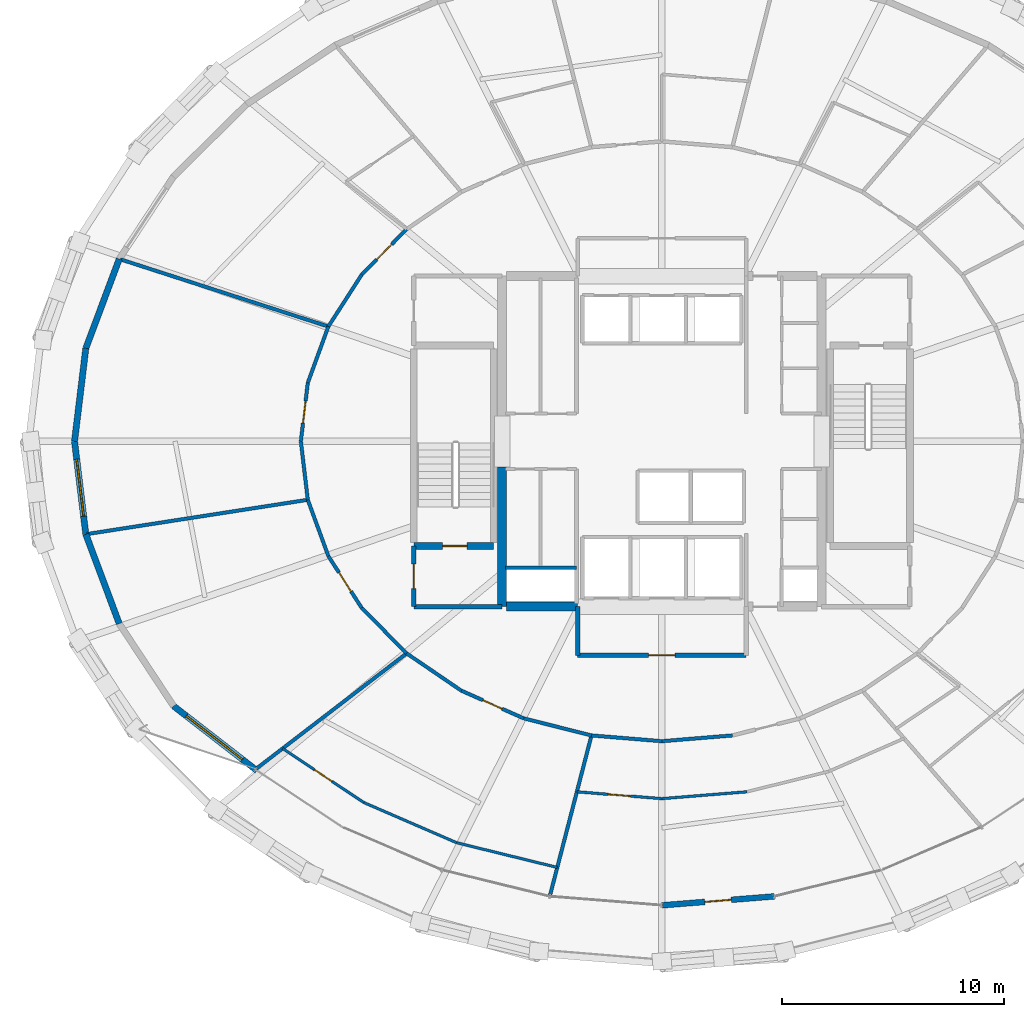
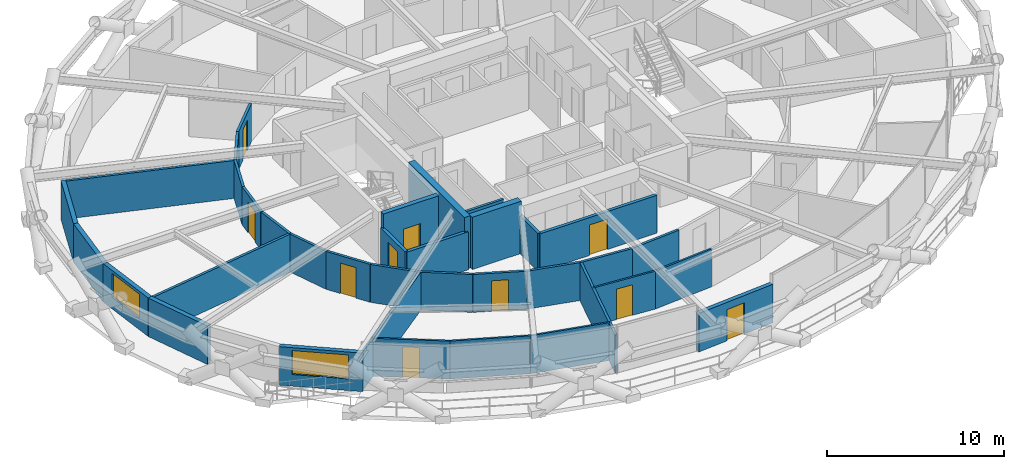
# One storey, part 13 of 19: 36 walls, 10 doors, 2 windows, 12 openings.
"""IFC4 building model written with IfcOpenShell, lengths in metres."""

from ifc_helpers import new_model, si_unit, direction, frame, frame_2d, origin, place, context, subcontext, project, spatial, rectangle, extrude, material, layer, layer_set, type_object, element, fill, save


model = new_model("IFC4")

# Units and contexts
model_context = context("Model", 3, precision=1e-05, world=origin(), true_north=direction((0.0, 1.0)))
body_context = subcontext(model_context, "Body", "Model", "MODEL_VIEW")
ifc_project = project(units=[si_unit("LENGTHUNIT", "METRE"), si_unit("AREAUNIT", "SQUARE_METRE"), si_unit("VOLUMEUNIT", "CUBIC_METRE"), si_unit("PLANEANGLEUNIT", "RADIAN"), si_unit("MASSUNIT", "GRAM", prefix="KILO")], contexts=[model_context])

# Site, building, storey
site_placement = place(None, origin())
site = spatial("IfcSite", under=ifc_project, at=site_placement, CompositionType="ELEMENT")
building_placement = place(site_placement, origin())
building = spatial("IfcBuilding", under=site, at=building_placement, Name="Veldorina Hangang Commons", CompositionType="ELEMENT")
storey_placement = place(building_placement, frame((0.0, 0.0, 52.0)))
storey = spatial("IfcBuildingStorey", under=building, at=storey_placement, Name="L12", CompositionType="ELEMENT", Elevation=52.0)

# Walls
ifc_material_1 = material(Name="Concrete C70/85", Category="concrete")
ifc_layer_1 = layer(ifc_material_1, 0.39990234375)
ifc_layer_set_1 = layer_set([ifc_layer_1], Name="Concrete C70/85")
wall_type_1 = type_object("IfcWallType", Name="CW-RC400-C70", PredefinedType="SHEAR", material=ifc_layer_set_1)
wall_1_placement = place(storey_placement, frame((24.800048828125, 16.550048828125, 0.0), z_axis=(0.0, 0.0, 1.0), x_axis=(0.0, 1.0, 0.0)))
element("IfcWall", 1, at=wall_1_placement, inside=storey, type_object=wall_type_1, Name="L12 W south core shear wall", PredefinedType="SHEAR", context=body_context, shape_type="SweptSolid", body=[
    extrude(rectangle(XDim=6.300048828125, YDim=0.39990234375, at=frame_2d((3.14990234375, 0.0))), origin(), (0.0, 0.0, 1.0), 3.60009765625),
])
wall_2_placement = place(storey_placement, frame((25.0, 16.550048828125, 0.0), z_axis=(0.0, 0.0, 1.0), x_axis=(1.0, 0.0, 0.0)))
element("IfcWall", 2, at=wall_2_placement, inside=storey, type_object=wall_type_1, Name="L12 south-west core shear wall", PredefinedType="SHEAR", context=body_context, shape_type="SweptSolid", body=[
    extrude(rectangle(XDim=3.199951171875, YDim=0.39990234375, at=frame_2d((1.60009765625, 0.0))), origin(), (0.0, 0.0, 1.0), 3.60009765625),
])

# Wall, opening, door
ifc_material_2 = material(Name="Stone Roman Travertine", Category="masonry")
ifc_layer_2 = layer(ifc_material_2, 0.260009765625)
ifc_layer_set_2 = layer_set([ifc_layer_2], Name="Stone Roman Travertine")
wall_type_2 = type_object("IfcWallType", Name="EW-LOGGIA-260", PredefinedType="STANDARD", material=ifc_layer_set_2)
wall_3_placement = place(storey_placement, frame((32.0, 3.084716796875, 0.0), z_axis=(0.0, 0.0, 1.0), x_axis=(0.996852362789, 0.079280305254, 0.0)))
wall_3 = element("IfcWall", 3, at=wall_3_placement, inside=storey, type_object=wall_type_2, Name="L12 sky-garden loggia portal wall 24", PredefinedType="STANDARD", context=body_context, shape_type="SweptSolid", body=[
    extrude(rectangle(XDim=5.07177734375, YDim=0.260009765625, at=frame_2d((2.535888671875, 0.0))), origin(), (0.0, 0.0, 1.0), 2.64990234375),
])
opening_1_placement = place(wall_3_placement, frame((1.935791015625, 0.0, 0.0)))
opening_1 = element("IfcOpeningElement", 4, at=opening_1_placement, cuts=wall_3, Name="Opening BD-1200", PredefinedType="OPENING", context=body_context, shape_type="SweptSolid", body=[
    extrude(rectangle(XDim=1.199951171875, YDim=2.14990234375, at=frame_2d((0.60009765625, 1.074951171875))), frame((0.0, 0.14013671875, 0.0), z_axis=(0.0, -1.0, 0.0), x_axis=(1.0, 0.0, 0.0)), (0.0, 0.0, 1.0), 0.280029296875),
])
ifc_material_3 = material(Name="Glass Thermal Aluminium Frame", Category="aluminium")
door_type_1 = type_object("IfcDoorType", Name="DR-EXT-LOG1200", OperationType="SINGLE_SWING_LEFT", PredefinedType="DOOR", material=ifc_material_3)
door_1_placement = place(opening_1_placement, origin())
door_1 = element("IfcDoor", 5, at=door_1_placement, inside=storey, type_object=door_type_1, Name="L12 loggia glazed exterior door 24", OperationType="SINGLE_SWING_LEFT", OverallHeight=2.14990234375, OverallWidth=1.199951171875, PredefinedType="DOOR", context=body_context, shape_type="SweptSolid", body=[
    extrude(rectangle(XDim=1.199951171875, YDim=2.14990234375, at=frame_2d((0.60009765625, 1.074951171875))), frame((0.0, 0.02490234375, 0.0), z_axis=(0.0, -1.0, 0.0), x_axis=(1.0, 0.0, 0.0)), (0.0, 0.0, 1.0), 0.050048828125),
])
fill(opening_1, door_1)

# Walls
ifc_layer_3 = layer(ifc_material_2, 0.280029296875)
ifc_layer_set_3 = layer_set([ifc_layer_3], Name="Stone Roman Travertine")
wall_type_3 = type_object("IfcWallType", Name="EW-TRAV-280", PredefinedType="STANDARD", material=ifc_layer_set_3)
wall_4_placement = place(storey_placement, frame((7.5400390625, 32.21826171875, 0.0), z_axis=(0.0, 0.0, 1.0), x_axis=(-0.350283521278, -0.936643718135, 0.0)))
element("IfcWall", 6, at=wall_4_placement, inside=storey, type_object=wall_type_3, Name="L12 travertine facade wall 14", PredefinedType="STANDARD", context=body_context, shape_type="SweptSolid", body=[
    extrude(rectangle(XDim=4.301025390625, YDim=0.280029296875, at=frame_2d((2.150390625, 0.0))), origin(), (0.0, 0.0, 1.0), 2.64990234375),
])
wall_5_placement = place(storey_placement, frame((6.033447265625, 28.189697265625, 0.0), z_axis=(0.0, 0.0, 1.0), x_axis=(-0.120495484084, -0.992713875352, 0.0)))
element("IfcWall", 7, at=wall_5_placement, inside=storey, type_object=wall_type_3, Name="L12 travertine facade wall 15", PredefinedType="STANDARD", context=body_context, shape_type="SweptSolid", body=[
    extrude(rectangle(XDim=4.220458984375, YDim=0.280029296875, at=frame_2d((2.1103515625, 0.0))), origin(), (0.0, 0.0, 1.0), 2.64990234375),
])

# Wall, opening, window
wall_6_placement = place(storey_placement, frame((5.52490234375, 24.0, 0.0), z_axis=(0.0, 0.0, 1.0), x_axis=(0.120495484084, -0.992713875352, 0.0)))
wall_6 = element("IfcWall", 8, at=wall_6_placement, inside=storey, type_object=wall_type_3, Name="L12 travertine facade wall 16", PredefinedType="STANDARD", context=body_context, shape_type="SweptSolid", body=[
    extrude(rectangle(XDim=4.220458984375, YDim=0.280029296875, at=frame_2d((2.1103515625, 0.0))), origin(), (0.0, 0.0, 1.0), 2.64990234375),
])
opening_2_placement = place(wall_6_placement, frame((0.810302734375, 0.0, 0.800048828125)))
opening_2 = element("IfcOpeningElement", 9, at=opening_2_placement, cuts=wall_6, Name="Opening W-02", PredefinedType="OPENING", context=body_context, shape_type="SweptSolid", body=[
    extrude(rectangle(XDim=2.60009765625, YDim=1.64990234375, at=frame_2d((1.300048828125, 0.824951171875))), frame((0.0, 0.14990234375, 0.0), z_axis=(0.0, -1.0, 0.0), x_axis=(1.0, 0.0, 0.0)), (0.0, 0.0, 1.0), 0.300048828125),
])
ifc_material_4 = material(Name="Glass Low-E Triple IGU", Category="glass")
window_type_1 = type_object("IfcWindowType", Name="WIN-TWR-2600", PartitioningType="SINGLE_PANEL", PredefinedType="WINDOW", material=ifc_material_4)
window_1_placement = place(opening_2_placement, origin())
window_1 = element("IfcWindow", 10, at=window_1_placement, inside=storey, type_object=window_type_1, Name="L12 facade window 16", OverallHeight=1.64990234375, OverallWidth=2.60009765625, PartitioningType="SINGLE_PANEL", PredefinedType="WINDOW", context=body_context, shape_type="SweptSolid", body=[
    extrude(rectangle(XDim=2.60009765625, YDim=1.64990234375, at=frame_2d((1.300048828125, 0.824951171875))), frame((0.0, 0.030029296875, 0.0), z_axis=(0.0, -1.0, 0.0), x_axis=(1.0, 0.0, 0.0)), (0.0, 0.0, 1.0), 0.06005859375),
])
fill(opening_2, window_1)

# Wall
wall_7_placement = place(storey_placement, frame((6.033447265625, 19.810302734375, 0.0), z_axis=(0.0, 0.0, 1.0), x_axis=(0.350283521278, -0.936643718135, 0.0)))
element("IfcWall", 11, at=wall_7_placement, inside=storey, type_object=wall_type_3, Name="L12 travertine facade wall 17", PredefinedType="STANDARD", context=body_context, shape_type="SweptSolid", body=[
    extrude(rectangle(XDim=4.301025390625, YDim=0.280029296875, at=frame_2d((2.150390625, 0.0))), origin(), (0.0, 0.0, 1.0), 2.64990234375),
])

# Wall, opening, window
wall_8_placement = place(storey_placement, frame((9.98681640625, 12.069091796875, 0.0), z_axis=(0.0, 0.0, 1.0), x_axis=(0.790411946791, -0.612575672362, 0.0)))
wall_8 = element("IfcWall", 12, at=wall_8_placement, inside=storey, type_object=wall_type_3, Name="L12 travertine facade wall 19", PredefinedType="STANDARD", context=body_context, shape_type="SweptSolid", body=[
    extrude(rectangle(XDim=4.75830078125, YDim=0.280029296875, at=frame_2d((2.379150390625, 0.0))), origin(), (0.0, 0.0, 1.0), 2.64990234375),
])
opening_3_placement = place(wall_8_placement, frame((0.733154296875, 0.0, 0.800048828125)))
opening_3 = element("IfcOpeningElement", 13, at=opening_3_placement, cuts=wall_8, Name="Opening W-01", PredefinedType="OPENING", context=body_context, shape_type="SweptSolid", body=[
    extrude(rectangle(XDim=3.199951171875, YDim=1.64990234375, at=frame_2d((1.60009765625, 0.824951171875))), frame((0.0, 0.14990234375, 0.0), z_axis=(0.0, -1.0, 0.0), x_axis=(1.0, 0.0, 0.0)), (0.0, 0.0, 1.0), 0.300048828125),
])
window_type_2 = type_object("IfcWindowType", Name="WIN-TWR-3200", PartitioningType="SINGLE_PANEL", PredefinedType="WINDOW", material=ifc_material_4)
window_2_placement = place(opening_3_placement, origin())
window_2 = element("IfcWindow", 14, at=window_2_placement, inside=storey, type_object=window_type_2, Name="L12 facade window 19", OverallHeight=1.64990234375, OverallWidth=3.199951171875, PartitioningType="SINGLE_PANEL", PredefinedType="WINDOW", context=body_context, shape_type="SweptSolid", body=[
    extrude(rectangle(XDim=3.199951171875, YDim=1.64990234375, at=frame_2d((1.60009765625, 0.824951171875))), frame((0.0, 0.030029296875, 0.0), z_axis=(0.0, -1.0, 0.0), x_axis=(1.0, 0.0, 0.0)), (0.0, 0.0, 1.0), 0.06005859375),
])
fill(opening_3, window_2)

# Wall, opening, door
ifc_material_5 = material(Name="Concrete C50/60", Category="concrete")
ifc_layer_4 = layer(ifc_material_5, 0.300048828125)
ifc_layer_set_4 = layer_set([ifc_layer_4], Name="Concrete C50/60")
wall_type_4 = type_object("IfcWallType", Name="SW-STAIR-300", PredefinedType="SHEAR", material=ifc_layer_set_4)
wall_9_placement = place(storey_placement, frame((20.820068359375, 19.280029296875, 0.0), z_axis=(0.0, 0.0, 1.0), x_axis=(1.0, 0.0, 0.0)))
wall_9 = element("IfcWall", 15, at=wall_9_placement, inside=storey, type_object=wall_type_4, Name="L12 ST1 south stair shear wall", PredefinedType="SHEAR", context=body_context, shape_type="SweptSolid", body=[
    extrude(rectangle(XDim=3.599853515625, YDim=0.300048828125, at=frame_2d((1.7998046875, 0.0))), origin(), (0.0, 0.0, 1.0), 3.60009765625),
])
opening_4_placement = place(wall_9_placement, frame((1.300048828125, 0.0, 0.0)))
opening_4 = element("IfcOpeningElement", 16, at=opening_4_placement, cuts=wall_9, Name="Opening D-08", PredefinedType="OPENING", context=body_context, shape_type="SweptSolid", body=[
    extrude(rectangle(XDim=1.10009765625, YDim=2.10009765625, at=frame_2d((0.550048828125, 1.050048828125))), frame((0.0, 0.16015625, 0.0), z_axis=(0.0, -1.0, 0.0), x_axis=(1.0, 0.0, 0.0)), (0.0, 0.0, 1.0), 0.320068359375),
])
ifc_material_6 = material(Name="Steel Fire-Rated Smoke Seal", Category="steel")
door_type_2 = type_object("IfcDoorType", Name="DR-FIRE-1100", OperationType="SINGLE_SWING_RIGHT", PredefinedType="DOOR", material=ifc_material_6)
door_2_placement = place(opening_4_placement, origin())
door_2 = element("IfcDoor", 17, at=door_2_placement, inside=storey, type_object=door_type_2, Name="L12 Special Escape Stair ST-1 door", OperationType="SINGLE_SWING_LEFT", OverallHeight=2.10009765625, OverallWidth=1.10009765625, PredefinedType="DOOR", context=body_context, shape_type="SweptSolid", body=[
    extrude(rectangle(XDim=1.10009765625, YDim=2.10009765625, at=frame_2d((0.550048828125, 1.050048828125))), frame((0.0, 0.02490234375, 0.0), z_axis=(0.0, -1.0, 0.0), x_axis=(1.0, 0.0, 0.0)), (0.0, 0.0, 1.0), 0.050048828125),
])
fill(opening_4, door_2)

# Wall
ifc_material_7 = material(Name="Gypsum Fire-Rated Twin Stud Wall", Category="gypsum")
ifc_layer_5 = layer(ifc_material_7, 0.159912109375)
ifc_layer_set_5 = layer_set([ifc_layer_5], Name="Gypsum Fire-Rated Twin Stud Wall")
wall_type_5 = type_object("IfcWallType", Name="WL-FIRE-160", PredefinedType="SOLIDWALL", material=ifc_layer_set_5)
wall_10_placement = place(storey_placement, frame((24.949951171875, 18.300048828125, 0.0), z_axis=(0.0, 0.0, 1.0), x_axis=(1.0, 0.0, 0.0)))
element("IfcWall", 18, at=wall_10_placement, inside=storey, type_object=wall_type_5, Name="L12 Electrical riser wall 035", PredefinedType="SOLIDWALL", context=body_context, shape_type="SweptSolid", body=[
    extrude(rectangle(XDim=3.199951171875, YDim=0.159912109375, at=frame_2d((1.60009765625, 0.0))), origin(), (0.0, 0.0, 1.0), 2.610107421875),
])

# Wall, opening, door
wall_11_placement = place(storey_placement, frame((20.492431640625, 33.55859375, 0.0), z_axis=(0.0, 0.0, 1.0), x_axis=(-0.702811997, -0.711375636969, 0.0)))
wall_11 = element("IfcWall", 19, at=wall_11_placement, inside=storey, type_object=wall_type_5, Name="L12 Corridor outer wall 12 062", PredefinedType="SOLIDWALL", context=body_context, shape_type="SweptSolid", body=[
    extrude(rectangle(XDim=2.87939453125, YDim=0.159912109375, at=frame_2d((1.439697265625, 0.0))), origin(), (0.0, 0.0, 1.0), 2.610107421875),
])
opening_5_placement = place(wall_11_placement, frame((0.96484375, 0.0, 0.0)))
opening_5 = element("IfcOpeningElement", 20, at=opening_5_placement, cuts=wall_11, Name="Opening D-03", PredefinedType="OPENING", context=body_context, shape_type="SweptSolid", body=[
    extrude(rectangle(XDim=0.949951171875, YDim=2.10009765625, at=frame_2d((0.47509765625, 1.050048828125))), frame((0.0, 0.08984375, 0.0), z_axis=(0.0, -1.0, 0.0), x_axis=(1.0, 0.0, 0.0)), (0.0, 0.0, 1.0), 0.179931640625),
])
ifc_material_8 = material(Name="Timber Fire-Rated Entrance Core", Category="wood")
door_type_3 = type_object("IfcDoorType", Name="DR-UNIT-950", OperationType="SINGLE_SWING_RIGHT", PredefinedType="DOOR", material=ifc_material_8)
door_3_placement = place(opening_5_placement, origin())
door_3 = element("IfcDoor", 21, at=door_3_placement, inside=storey, type_object=door_type_3, Name="L12 Studio 8 entrance door 041", OperationType="SINGLE_SWING_LEFT", OverallHeight=2.10009765625, OverallWidth=0.949951171875, PredefinedType="DOOR", context=body_context, shape_type="SweptSolid", body=[
    extrude(rectangle(XDim=0.949951171875, YDim=2.10009765625, at=frame_2d((0.47509765625, 1.050048828125))), frame((0.0, 0.02490234375, 0.0), z_axis=(0.0, -1.0, 0.0), x_axis=(1.0, 0.0, 0.0)), (0.0, 0.0, 1.0), 0.050048828125),
])
fill(opening_5, door_3)

# Walls
wall_12_placement = place(storey_placement, frame((18.46875, 31.51025390625, 0.0), z_axis=(0.0, 0.0, 1.0), x_axis=(-0.541126045017, -0.840941498206, 0.0)))
element("IfcWall", 22, at=wall_12_placement, inside=storey, type_object=wall_type_5, Name="L12 Corridor outer wall 13 063", PredefinedType="SOLIDWALL", context=body_context, shape_type="SweptSolid", body=[
    extrude(rectangle(XDim=2.779296875, YDim=0.159912109375, at=frame_2d((1.3896484375, 0.0))), origin(), (0.0, 0.0, 1.0), 2.610107421875),
])
wall_13_placement = place(storey_placement, frame((16.96484375, 29.173095703125, 0.0), z_axis=(0.0, 0.0, 1.0), x_axis=(-0.343013437329, -0.939330496583, 0.0)))
element("IfcWall", 23, at=wall_13_placement, inside=storey, type_object=wall_type_5, Name="L12 Corridor outer wall 14 064", PredefinedType="SOLIDWALL", context=body_context, shape_type="SweptSolid", body=[
    extrude(rectangle(XDim=2.69970703125, YDim=0.159912109375, at=frame_2d((1.349853515625, 0.0))), origin(), (0.0, 0.0, 1.0), 2.610107421875),
])

# Wall, opening, door
wall_14_placement = place(storey_placement, frame((16.038818359375, 26.63720703125, 0.0), z_axis=(0.0, 0.0, 1.0), x_axis=(-0.117763961213, -0.99304161516, 0.0)))
wall_14 = element("IfcWall", 24, at=wall_14_placement, inside=storey, type_object=wall_type_5, Name="L12 Corridor outer wall 15 065", PredefinedType="SOLIDWALL", context=body_context, shape_type="SweptSolid", body=[
    extrude(rectangle(XDim=2.65576171875, YDim=0.159912109375, at=frame_2d((1.327880859375, 0.0))), origin(), (0.0, 0.0, 1.0), 2.610107421875),
])
opening_6_placement = place(wall_14_placement, frame((0.827880859375, 0.0, 0.0)))
opening_6 = element("IfcOpeningElement", 25, at=opening_6_placement, cuts=wall_14, Name="Opening D-05", PredefinedType="OPENING", context=body_context, shape_type="SweptSolid", body=[
    extrude(rectangle(XDim=1.0, YDim=2.10009765625, at=frame_2d((0.5, 1.050048828125))), frame((0.0, 0.08984375, 0.0), z_axis=(0.0, -1.0, 0.0), x_axis=(1.0, 0.0, 0.0)), (0.0, 0.0, 1.0), 0.179931640625),
])
ifc_material_9 = material(Name="Timber Solid Core Acoustic", Category="wood")
door_type_4 = type_object("IfcDoorType", Name="DR-INT-1000", OperationType="SINGLE_SWING_RIGHT", PredefinedType="DOOR", material=ifc_material_9)
door_4_placement = place(opening_6_placement, origin())
door_4 = element("IfcDoor", 26, at=door_4_placement, inside=storey, type_object=door_type_4, Name="L12 Floor Study Room 9 door 042", OperationType="SINGLE_SWING_RIGHT", OverallHeight=2.10009765625, OverallWidth=1.0, PredefinedType="DOOR", context=body_context, shape_type="SweptSolid", body=[
    extrude(rectangle(XDim=1.0, YDim=2.10009765625, at=frame_2d((0.5, 1.050048828125))), frame((0.0, 0.02490234375, 0.0), z_axis=(0.0, -1.0, 0.0), x_axis=(1.0, 0.0, 0.0)), (0.0, 0.0, 1.0), 0.050048828125),
])
fill(opening_6, door_4)

# Walls
wall_15_placement = place(storey_placement, frame((15.72607421875, 24.0, 0.0), z_axis=(0.0, 0.0, 1.0), x_axis=(0.117763961213, -0.99304161516, 0.0)))
element("IfcWall", 27, at=wall_15_placement, inside=storey, type_object=wall_type_5, Name="L12 Corridor outer wall 16 066", PredefinedType="SOLIDWALL", context=body_context, shape_type="SweptSolid", body=[
    extrude(rectangle(XDim=2.65576171875, YDim=0.159912109375, at=frame_2d((1.327880859375, 0.0))), origin(), (0.0, 0.0, 1.0), 2.610107421875),
])
wall_16_placement = place(storey_placement, frame((16.038818359375, 21.36279296875, 0.0), z_axis=(0.0, 0.0, 1.0), x_axis=(0.343013437329, -0.939330496583, 0.0)))
element("IfcWall", 28, at=wall_16_placement, inside=storey, type_object=wall_type_5, Name="L12 Corridor outer wall 17 067", PredefinedType="SOLIDWALL", context=body_context, shape_type="SweptSolid", body=[
    extrude(rectangle(XDim=2.69970703125, YDim=0.159912109375, at=frame_2d((1.349853515625, 0.0))), origin(), (0.0, 0.0, 1.0), 2.610107421875),
])

# Wall, opening, door
wall_17_placement = place(storey_placement, frame((16.96484375, 18.826904296875, 0.0), z_axis=(0.0, 0.0, 1.0), x_axis=(0.541126045017, -0.840941498206, 0.0)))
wall_17 = element("IfcWall", 29, at=wall_17_placement, inside=storey, type_object=wall_type_5, Name="L12 Corridor outer wall 18 068", PredefinedType="SOLIDWALL", context=body_context, shape_type="SweptSolid", body=[
    extrude(rectangle(XDim=2.779296875, YDim=0.159912109375, at=frame_2d((1.3896484375, 0.0))), origin(), (0.0, 0.0, 1.0), 2.610107421875),
])
opening_7_placement = place(wall_17_placement, frame((0.8896484375, 0.0, 0.0)))
opening_7 = element("IfcOpeningElement", 30, at=opening_7_placement, cuts=wall_17, Name="Opening D-05", PredefinedType="OPENING", context=body_context, shape_type="SweptSolid", body=[
    extrude(rectangle(XDim=1.0, YDim=2.10009765625, at=frame_2d((0.5, 1.050048828125))), frame((0.0, 0.08984375, 0.0), z_axis=(0.0, -1.0, 0.0), x_axis=(1.0, 0.0, 0.0)), (0.0, 0.0, 1.0), 0.179931640625),
])
door_5_placement = place(opening_7_placement, origin())
door_5 = element("IfcDoor", 31, at=door_5_placement, inside=storey, type_object=door_type_4, Name="L12 Seminar Focus Room 10 door 043", OperationType="SINGLE_SWING_LEFT", OverallHeight=2.10009765625, OverallWidth=1.0, PredefinedType="DOOR", context=body_context, shape_type="SweptSolid", body=[
    extrude(rectangle(XDim=1.0, YDim=2.10009765625, at=frame_2d((0.5, 1.050048828125))), frame((0.0, 0.02490234375, 0.0), z_axis=(0.0, -1.0, 0.0), x_axis=(1.0, 0.0, 0.0)), (0.0, 0.0, 1.0), 0.050048828125),
])
fill(opening_7, door_5)

# Walls
wall_18_placement = place(storey_placement, frame((18.46875, 16.48974609375, 0.0), z_axis=(0.0, 0.0, 1.0), x_axis=(0.702811997, -0.711375636969, 0.0)))
element("IfcWall", 32, at=wall_18_placement, inside=storey, type_object=wall_type_5, Name="L12 Corridor outer wall 19 069", PredefinedType="SOLIDWALL", context=body_context, shape_type="SweptSolid", body=[
    extrude(rectangle(XDim=2.87939453125, YDim=0.159912109375, at=frame_2d((1.439697265625, 0.0))), origin(), (0.0, 0.0, 1.0), 2.610107421875),
])
wall_19_placement = place(storey_placement, frame((20.492431640625, 14.44140625, 0.0), z_axis=(0.0, 0.0, 1.0), x_axis=(0.826293096206, -0.56324037423, 0.0)))
element("IfcWall", 33, at=wall_19_placement, inside=storey, type_object=wall_type_5, Name="L12 Corridor outer wall 20 070", PredefinedType="SOLIDWALL", context=body_context, shape_type="SweptSolid", body=[
    extrude(rectangle(XDim=2.98486328125, YDim=0.159912109375, at=frame_2d((1.492431640625, 0.0))), origin(), (0.0, 0.0, 1.0), 2.610107421875),
])

# Wall, opening, door
wall_20_placement = place(storey_placement, frame((22.958740234375, 12.76025390625, 0.0), z_axis=(0.0, 0.0, 1.0), x_axis=(0.913952123493, -0.405822024984, 0.0)))
wall_20 = element("IfcWall", 34, at=wall_20_placement, inside=storey, type_object=wall_type_5, Name="L12 Corridor outer wall 21 071", PredefinedType="SOLIDWALL", context=body_context, shape_type="SweptSolid", body=[
    extrude(rectangle(XDim=3.078369140625, YDim=0.159912109375, at=frame_2d((1.5390625, 0.0))), origin(), (0.0, 0.0, 1.0), 2.610107421875),
])
opening_8_placement = place(wall_20_placement, frame((1.064208984375, 0.0, 0.0)))
opening_8 = element("IfcOpeningElement", 35, at=opening_8_placement, cuts=wall_20, Name="Opening D-02", PredefinedType="OPENING", context=body_context, shape_type="SweptSolid", body=[
    extrude(rectangle(XDim=0.949951171875, YDim=2.10009765625, at=frame_2d((0.47509765625, 1.050048828125))), frame((0.0, 0.08984375, 0.0), z_axis=(0.0, -1.0, 0.0), x_axis=(1.0, 0.0, 0.0)), (0.0, 0.0, 1.0), 0.179931640625),
])
door_type_5 = type_object("IfcDoorType", Name="DR-INT-950", OperationType="SINGLE_SWING_LEFT", PredefinedType="DOOR", material=ifc_material_9)
door_6_placement = place(opening_8_placement, origin())
door_6 = element("IfcDoor", 36, at=door_6_placement, inside=storey, type_object=door_type_5, Name="L12 Linen drying store door 044", OperationType="SINGLE_SWING_RIGHT", OverallHeight=2.10009765625, OverallWidth=0.949951171875, PredefinedType="DOOR", context=body_context, shape_type="SweptSolid", body=[
    extrude(rectangle(XDim=0.949951171875, YDim=2.10009765625, at=frame_2d((0.47509765625, 1.050048828125))), frame((0.0, 0.02490234375, 0.0), z_axis=(0.0, -1.0, 0.0), x_axis=(1.0, 0.0, 0.0)), (0.0, 0.0, 1.0), 0.050048828125),
])
fill(opening_8, door_6)

# Walls
wall_21_placement = place(storey_placement, frame((25.772216796875, 11.510986328125, 0.0), z_axis=(0.0, 0.0, 1.0), x_axis=(0.969689238064, -0.244341526521, 0.0)))
element("IfcWall", 37, at=wall_21_placement, inside=storey, type_object=wall_type_5, Name="L12 Corridor outer wall 22 072", PredefinedType="SOLIDWALL", context=body_context, shape_type="SweptSolid", body=[
    extrude(rectangle(XDim=3.1484375, YDim=0.159912109375, at=frame_2d((1.57421875, 0.0))), origin(), (0.0, 0.0, 1.0), 2.610107421875),
])
for number, where, z_axis, x_axis, name in (
    (38, (28.8251953125, 10.74169921875, 0.0), (0.0, 0.0, 1.0), (0.996669377538, -0.081548463373, 0.0), "L12 Corridor outer wall 23 073"),
    (39, (32.0, 10.48193359375, 0.0), (0.0, 0.0, 1.0), (0.996669377538, 0.081548463373, 0.0), "L12 Corridor outer wall 24 074"),
):
    element("IfcWall", number, at=place(storey_placement, frame(where, z_axis=z_axis, x_axis=x_axis)), inside=storey, type_object=wall_type_5, Name=name, PredefinedType="SOLIDWALL", context=body_context, shape_type="SweptSolid", body=[
        extrude(rectangle(XDim=3.185302734375, YDim=0.159912109375, at=frame_2d((1.5927734375, 0.0))), origin(), (0.0, 0.0, 1.0), 2.610107421875),
    ])
wall_22_placement = place(storey_placement, frame((28.8251953125, 10.74169921875, 0.0), z_axis=(0.0, 0.0, 1.0), x_axis=(-0.25096784915, -0.967995422868, 0.0)))
element("IfcWall", 40, at=wall_22_placement, inside=storey, type_object=wall_type_5, Name="L12 Unit party wall 23 082", PredefinedType="SOLIDWALL", context=body_context, shape_type="SweptSolid", body=[
    extrude(rectangle(XDim=7.44482421875, YDim=0.159912109375, at=frame_2d((3.722412109375, 0.0))), origin(), (0.0, 0.0, 1.0), 2.610107421875),
])
wall_23_placement = place(storey_placement, frame((16.96484375, 29.173095703125, 0.0), z_axis=(0.0, 0.0, 1.0), x_axis=(-0.951563741072, 0.307451535492, 0.0)))
element("IfcWall", 41, at=wall_23_placement, inside=storey, type_object=wall_type_5, Name="L12 Unit party wall 14 114", PredefinedType="SOLIDWALL", context=body_context, shape_type="SweptSolid", body=[
    extrude(rectangle(XDim=9.8544921875, YDim=0.159912109375, at=frame_2d((4.92724609375, 0.0))), origin(), (0.0, 0.0, 1.0), 2.610107421875),
])
wall_24_placement = place(storey_placement, frame((16.038818359375, 21.36279296875, 0.0), z_axis=(0.0, 0.0, 1.0), x_axis=(-0.988176752001, -0.153318970792, 0.0)))
element("IfcWall", 42, at=wall_24_placement, inside=storey, type_object=wall_type_5, Name="L12 Unit party wall 17 115", PredefinedType="SOLIDWALL", context=body_context, shape_type="SweptSolid", body=[
    extrude(rectangle(XDim=10.074951171875, YDim=0.159912109375, at=frame_2d((5.03759765625, 0.0))), origin(), (0.0, 0.0, 1.0), 2.610107421875),
])
wall_25_placement = place(storey_placement, frame((20.492431640625, 14.44140625, 0.0), z_axis=(0.0, 0.0, 1.0), x_axis=(-0.793377694402, -0.608729688799, 0.0)))
element("IfcWall", 43, at=wall_25_placement, inside=storey, type_object=wall_type_5, Name="L12 Unit party wall 20 116", PredefinedType="SOLIDWALL", context=body_context, shape_type="SweptSolid", body=[
    extrude(rectangle(XDim=8.542724609375, YDim=0.159912109375, at=frame_2d((4.271484375, 0.0))), origin(), (0.0, 0.0, 1.0), 2.610107421875),
])

# Wall, opening, door
ifc_material_10 = material(Name="Concrete Blockwork Fire Wall C30/37", Category="masonry")
ifc_layer_6 = layer(ifc_material_10, 0.199951171875)
ifc_layer_set_6 = layer_set([ifc_layer_6], Name="Concrete Blockwork Fire Wall C30/37")
wall_type_6 = type_object("IfcWallType", Name="WL-FIRE-200", PredefinedType="SOLIDWALL", material=ifc_layer_set_6)
wall_26_placement = place(storey_placement, frame((20.820068359375, 16.550048828125, 0.0), z_axis=(0.0, 0.0, 1.0), x_axis=(0.0, 1.0, 0.0)))
wall_26 = element("IfcWall", 44, at=wall_26_placement, inside=storey, type_object=wall_type_6, Name="L12 West vestibule outer wall 001", PredefinedType="SOLIDWALL", context=body_context, shape_type="SweptSolid", body=[
    extrude(rectangle(XDim=2.72998046875, YDim=0.199951171875, at=frame_2d((1.364990234375, 0.0))), origin(), (0.0, 0.0, 1.0), 2.610107421875),
])
opening_9_placement = place(wall_26_placement, frame((0.81494140625, 0.0, 0.0)))
opening_9 = element("IfcOpeningElement", 45, at=opening_9_placement, cuts=wall_26, Name="Opening D-08", PredefinedType="OPENING", context=body_context, shape_type="SweptSolid", body=[
    extrude(rectangle(XDim=1.10009765625, YDim=2.10009765625, at=frame_2d((0.550048828125, 1.050048828125))), frame((0.0, 0.10986328125, 0.0), z_axis=(0.0, -1.0, 0.0), x_axis=(1.0, 0.0, 0.0)), (0.0, 0.0, 1.0), 0.219970703125),
])
door_7_placement = place(opening_9_placement, origin())
door_7 = element("IfcDoor", 46, at=door_7_placement, inside=storey, type_object=door_type_2, Name="L12 West vestibule west door 001", OperationType="SINGLE_SWING_LEFT", OverallHeight=2.10009765625, OverallWidth=1.10009765625, PredefinedType="DOOR", context=body_context, shape_type="SweptSolid", body=[
    extrude(rectangle(XDim=1.10009765625, YDim=2.10009765625, at=frame_2d((0.550048828125, 1.050048828125))), frame((0.0, 0.02490234375, 0.0), z_axis=(0.0, -1.0, 0.0), x_axis=(1.0, 0.0, 0.0)), (0.0, 0.0, 1.0), 0.050048828125),
])
fill(opening_9, door_7)

# Walls
wall_27_placement = place(storey_placement, frame((20.820068359375, 16.550048828125, 0.0), z_axis=(0.0, 0.0, 1.0), x_axis=(1.0, 0.0, 0.0)))
element("IfcWall", 47, at=wall_27_placement, inside=storey, type_object=wall_type_6, Name="L12 West vestibule south wall 002", PredefinedType="SOLIDWALL", context=body_context, shape_type="SweptSolid", body=[
    extrude(rectangle(XDim=3.97998046875, YDim=0.199951171875, at=frame_2d((1.989990234375, 0.0))), origin(), (0.0, 0.0, 1.0), 2.610107421875),
])
wall_28_placement = place(storey_placement, frame((28.199951171875, 14.35009765625, 0.0), z_axis=(0.0, 0.0, 1.0), x_axis=(0.0, 1.0, 0.0)))
element("IfcWall", 48, at=wall_28_placement, inside=storey, type_object=wall_type_6, Name="L12 FF lobby west wall 012", PredefinedType="SOLIDWALL", context=body_context, shape_type="SweptSolid", body=[
    extrude(rectangle(XDim=2.199951171875, YDim=0.199951171875, at=frame_2d((1.10009765625, 0.0))), origin(), (0.0, 0.0, 1.0), 2.610107421875),
])

# Wall, opening, door
wall_29_placement = place(storey_placement, frame((28.199951171875, 14.35009765625, 0.0), z_axis=(0.0, 0.0, 1.0), x_axis=(1.0, 0.0, 0.0)))
wall_29 = element("IfcWall", 49, at=wall_29_placement, inside=storey, type_object=wall_type_6, Name="L12 FF lobby south wall 014", PredefinedType="SOLIDWALL", context=body_context, shape_type="SweptSolid", body=[
    extrude(rectangle(XDim=7.60009765625, YDim=0.199951171875, at=frame_2d((3.800048828125, 0.0))), origin(), (0.0, 0.0, 1.0), 2.610107421875),
])
opening_10_placement = place(wall_29_placement, frame((3.199951171875, 0.0, 0.0)))
opening_10 = element("IfcOpeningElement", 50, at=opening_10_placement, cuts=wall_29, Name="Opening D-09", PredefinedType="OPENING", context=body_context, shape_type="SweptSolid", body=[
    extrude(rectangle(XDim=1.199951171875, YDim=2.10009765625, at=frame_2d((0.60009765625, 1.050048828125))), frame((0.0, 0.10986328125, 0.0), z_axis=(0.0, -1.0, 0.0), x_axis=(1.0, 0.0, 0.0)), (0.0, 0.0, 1.0), 0.219970703125),
])
ifc_material_11 = material(Name="Steel Fire-Rated Corridor Door", Category="steel")
door_type_6 = type_object("IfcDoorType", Name="DR-FIRE-1200", OperationType="SINGLE_SWING_LEFT", PredefinedType="DOOR", material=ifc_material_11)
door_8_placement = place(opening_10_placement, origin())
door_8 = element("IfcDoor", 51, at=door_8_placement, inside=storey, type_object=door_type_6, Name="L12 FF lobby south corridor door 005", OperationType="SINGLE_SWING_LEFT", OverallHeight=2.10009765625, OverallWidth=1.199951171875, PredefinedType="DOOR", context=body_context, shape_type="SweptSolid", body=[
    extrude(rectangle(XDim=1.199951171875, YDim=2.10009765625, at=frame_2d((0.60009765625, 1.050048828125))), frame((0.0, 0.02490234375, 0.0), z_axis=(0.0, -1.0, 0.0), x_axis=(1.0, 0.0, 0.0)), (0.0, 0.0, 1.0), 0.050048828125),
])
fill(opening_10, door_8)

ifc_material_12 = material(Name="Gypsum Acoustic Stud Partition", Category="gypsum")
ifc_layer_7 = layer(ifc_material_12, 0.1201171875)
ifc_layer_set_7 = layer_set([ifc_layer_7], Name="Gypsum Acoustic Stud Partition")
wall_type_7 = type_object("IfcWallType", Name="WL-PART-120", PredefinedType="PARTITIONING", material=ifc_layer_set_7)
wall_30_placement = place(storey_placement, frame((28.166748046875, 8.202392578125, 0.0), z_axis=(0.0, 0.0, 1.0), x_axis=(0.996759933723, -0.080434038343, 0.0)))
wall_30 = element("IfcWall", 52, at=wall_30_placement, inside=storey, type_object=wall_type_7, Name="L12 Lounge alcove split 0 083", PredefinedType="PARTITIONING", context=body_context, shape_type="SweptSolid", body=[
    extrude(rectangle(XDim=3.845703125, YDim=0.1201171875, at=frame_2d((1.9228515625, 0.0))), origin(), (0.0, 0.0, 1.0), 2.610107421875),
])
opening_11_placement = place(wall_30_placement, frame((1.4228515625, 0.0, 0.0)))
opening_11 = element("IfcOpeningElement", 53, at=opening_11_placement, cuts=wall_30, Name="Opening D-05", PredefinedType="OPENING", context=body_context, shape_type="SweptSolid", body=[
    extrude(rectangle(XDim=1.0, YDim=2.10009765625, at=frame_2d((0.5, 1.050048828125))), frame((0.0, 0.070068359375, 0.0), z_axis=(0.0, -1.0, 0.0), x_axis=(1.0, 0.0, 0.0)), (0.0, 0.0, 1.0), 0.14013671875),
])
door_9_placement = place(opening_11_placement, origin())
door_9 = element("IfcDoor", 54, at=door_9_placement, inside=storey, type_object=door_type_4, Name="L12 Commons lounge door 023", OperationType="SINGLE_SWING_LEFT", OverallHeight=2.10009765625, OverallWidth=1.0, PredefinedType="DOOR", context=body_context, shape_type="SweptSolid", body=[
    extrude(rectangle(XDim=1.0, YDim=2.10009765625, at=frame_2d((0.5, 1.050048828125))), frame((0.0, 0.02490234375, 0.0), z_axis=(0.0, -1.0, 0.0), x_axis=(1.0, 0.0, 0.0)), (0.0, 0.0, 1.0), 0.050048828125),
])
fill(opening_11, door_9)

# Wall
wall_31_placement = place(storey_placement, frame((32.0, 7.89306640625, 0.0), z_axis=(0.0, 0.0, 1.0), x_axis=(0.996759933723, 0.080434038343, 0.0)))
element("IfcWall", 55, at=wall_31_placement, inside=storey, type_object=wall_type_7, Name="L12 Lounge alcove split 1 084", PredefinedType="PARTITIONING", context=body_context, shape_type="SweptSolid", body=[
    extrude(rectangle(XDim=3.845703125, YDim=0.1201171875, at=frame_2d((1.9228515625, 0.0))), origin(), (0.0, 0.0, 1.0), 2.610107421875),
])

# Wall, opening, door
wall_32_placement = place(storey_placement, frame((14.90234375, 10.152099609375, 0.0), z_axis=(0.0, 0.0, 1.0), x_axis=(0.832826368546, -0.553534316781, 0.0)))
wall_32 = element("IfcWall", 56, at=wall_32_placement, inside=storey, type_object=wall_type_7, Name="L12 Laundry split 0 117", PredefinedType="PARTITIONING", context=body_context, shape_type="SweptSolid", body=[
    extrude(rectangle(XDim=4.399658203125, YDim=0.1201171875, at=frame_2d((2.19970703125, 0.0))), origin(), (0.0, 0.0, 1.0), 2.610107421875),
])
opening_12_placement = place(wall_32_placement, frame((1.724853515625, 0.0, 0.0)))
opening_12 = element("IfcOpeningElement", 57, at=opening_12_placement, cuts=wall_32, Name="Opening D-02", PredefinedType="OPENING", context=body_context, shape_type="SweptSolid", body=[
    extrude(rectangle(XDim=0.949951171875, YDim=2.10009765625, at=frame_2d((0.47509765625, 1.050048828125))), frame((0.0, 0.070068359375, 0.0), z_axis=(0.0, -1.0, 0.0), x_axis=(1.0, 0.0, 0.0)), (0.0, 0.0, 1.0), 0.14013671875),
])
door_10_placement = place(opening_12_placement, origin())
door_10 = element("IfcDoor", 58, at=door_10_placement, inside=storey, type_object=door_type_5, Name="L12 Resident laundry inner door 045", OperationType="SINGLE_SWING_LEFT", OverallHeight=2.10009765625, OverallWidth=0.949951171875, PredefinedType="DOOR", context=body_context, shape_type="SweptSolid", body=[
    extrude(rectangle(XDim=0.949951171875, YDim=2.10009765625, at=frame_2d((0.47509765625, 1.050048828125))), frame((0.0, 0.02490234375, 0.0), z_axis=(0.0, -1.0, 0.0), x_axis=(1.0, 0.0, 0.0)), (0.0, 0.0, 1.0), 0.050048828125),
])
fill(opening_12, door_10)

# Walls
wall_33_placement = place(storey_placement, frame((18.56640625, 7.716796875, 0.0), z_axis=(0.0, 0.0, 1.0), x_axis=(0.917691787715, -0.397293069108, 0.0)))
element("IfcWall", 59, at=wall_33_placement, inside=storey, type_object=wall_type_7, Name="L12 Laundry split 1 118", PredefinedType="PARTITIONING", context=body_context, shape_type="SweptSolid", body=[
    extrude(rectangle(XDim=4.555419921875, YDim=0.1201171875, at=frame_2d((2.27783203125, 0.0))), origin(), (0.0, 0.0, 1.0), 2.610107421875),
])
wall_34_placement = place(storey_placement, frame((22.746826171875, 5.906982421875, 0.0), z_axis=(0.0, 0.0, 1.0), x_axis=(0.971115389304, -0.238610353204, 0.0)))
element("IfcWall", 60, at=wall_34_placement, inside=storey, type_object=wall_type_7, Name="L12 Laundry split 2 119", PredefinedType="PARTITIONING", context=body_context, shape_type="SweptSolid", body=[
    extrude(rectangle(XDim=4.6708984375, YDim=0.1201171875, at=frame_2d((2.33544921875, 0.0))), origin(), (0.0, 0.0, 1.0), 2.610107421875),
])

save(model, "model.ifc")
